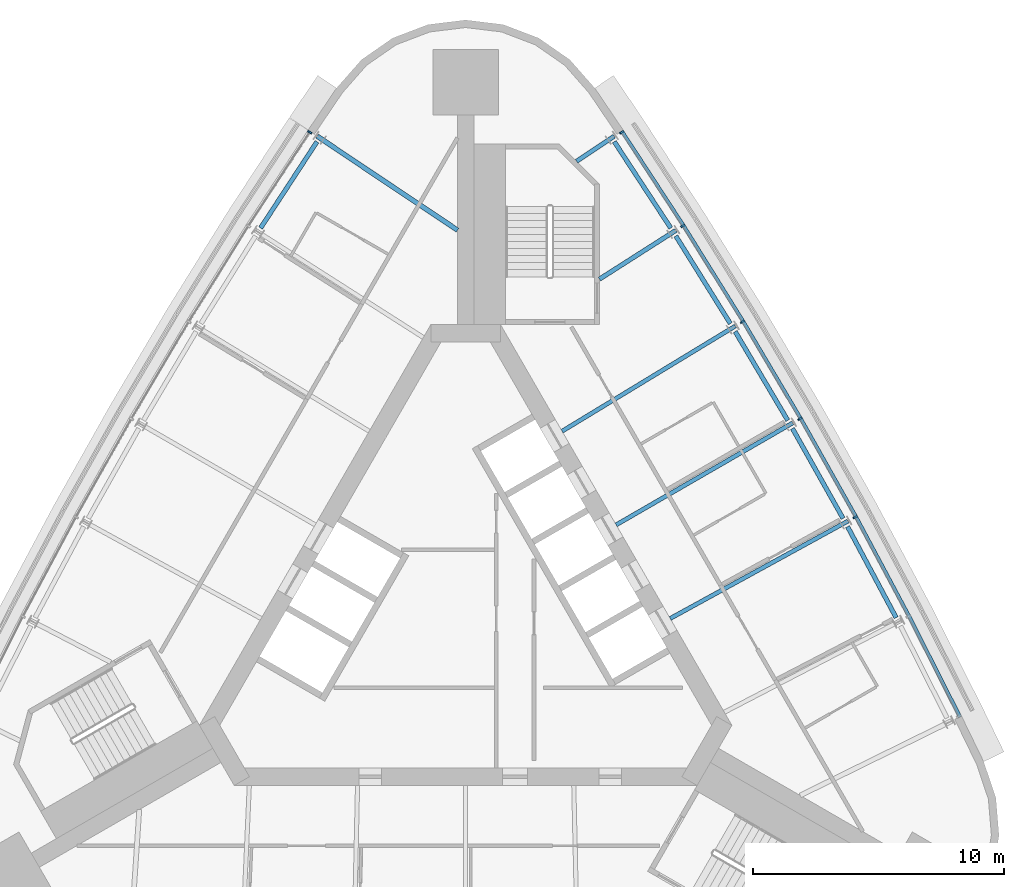
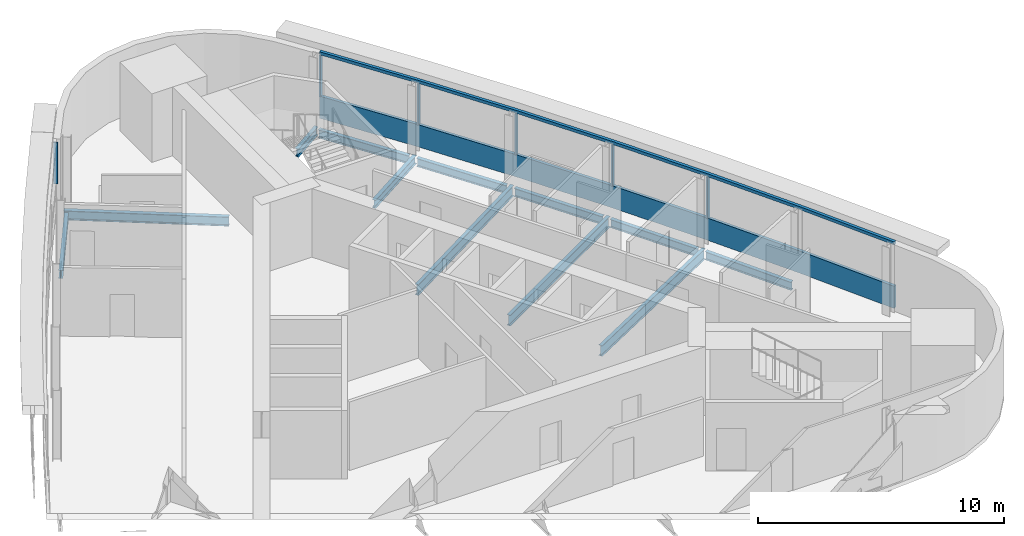
# One storey, part 7 of 14: 12 beams, 8 members, 2 elements without a shape of their own.
"""IFC4 building model written with IfcOpenShell, lengths in metres."""

from ifc_helpers import new_model, si_unit, direction, frame, origin, origin_2d, place, context, subcontext, project, spatial, polyline, rectangle, i_section, outline, extrude, material, material_profile, profile_set, type_object, element, aggregate, save


model = new_model("IFC4")

# Units and contexts
model_context = context("Model", 3, precision=1e-05, world=origin(), true_north=direction((0.0, 1.0)))
body_context = subcontext(model_context, "Body", "Model", "MODEL_VIEW")
ifc_project = project(units=[si_unit("LENGTHUNIT", "METRE"), si_unit("AREAUNIT", "SQUARE_METRE"), si_unit("VOLUMEUNIT", "CUBIC_METRE"), si_unit("PLANEANGLEUNIT", "RADIAN"), si_unit("MASSUNIT", "GRAM", prefix="KILO")], contexts=[model_context])

# Site, building, storey
site_placement = place(None, origin())
site = spatial("IfcSite", under=ifc_project, at=site_placement, CompositionType="ELEMENT")
building_placement = place(site_placement, origin())
building = spatial("IfcBuilding", under=site, at=building_placement, Name="Noor Cloister Tower", CompositionType="ELEMENT")
storey_placement = place(building_placement, frame((0.0, 0.0, 222.0)))
storey = spatial("IfcBuildingStorey", under=building, at=storey_placement, Name="L57", CompositionType="ELEMENT", Elevation=222.0)

# Curtain wall, member
ifc_material_1 = material(Name="Aluminium 6063-T6 anodised", Category="aluminium")
curtain_wall_type = type_object("IfcCurtainWallType", Name="Ribbon curtain wall, upper tower CW5", PredefinedType="NOTDEFINED", material=ifc_material_1)
curtain_wall_1_placement = place(storey_placement, origin())
curtain_wall_1 = element("IfcCurtainWall", 1, at=curtain_wall_1_placement, inside=storey, type_object=curtain_wall_type, Name="CW5 L57 NE run 4", PredefinedType="NOTDEFINED")
ifc_material_2 = material(Name="Aluminium 6063-T6 anodised", Category="aluminium")
member_type_1 = type_object("IfcMemberType", Name="Head transom CW5 150", PredefinedType="USERDEFINED", material=ifc_material_2)
member_1_placement = place(storey_placement, frame((0.0, 0.0, 3.14990234375)))
member_1 = element("IfcMember", 2, at=member_1_placement, type_object=member_type_1, Name="CW5 head transom", ObjectType="TRANSOM", PredefinedType="USERDEFINED", context=body_context, shape_type="SweptSolid", body=[
    extrude(outline(polyline([(19.772216796875, -4.16162109375), (17.7412109375, -0.14599609375), (15.621826171875, 3.823486328125), (13.415283203125, 7.745361328125), (11.122314453125, 11.6171875), (8.744140625, 15.437255859375), (6.2822265625, 19.2041015625), (6.1650390625, 19.12744140625), (8.626220703125, 15.362060546875), (11.00244140625, 11.54443359375), (13.2939453125, 7.67529296875), (15.4990234375, 3.75634765625), (17.616943359375, -0.210693359375), (19.647216796875, -4.224609375), (19.772216796875, -4.16162109375)])), origin(), (0.0, 0.0, 1.0), 0.150146484375),
])

curtain_wall_2_placement = place(storey_placement, origin())
curtain_wall_2 = element("IfcCurtainWall", 3, at=curtain_wall_2_placement, inside=storey, type_object=curtain_wall_type, Name="CW5 L57 NW run 1", PredefinedType="NOTDEFINED")
ifc_material_3 = material(Name="Aluminium 6063-T6 anodised", Category="aluminium")
ifc_material_profile_1 = material_profile(ifc_material_3, rectangle(XDim=0.179931640625, YDim=0.070068359375, at=origin_2d()), Name="180 x 70 mullion")
ifc_profile_set_1 = profile_set([ifc_material_profile_1], Name="Aluminium 6063-T6 anodised")
member_type_2 = type_object("IfcMemberType", Name="Mullion CW5 70 x 180", PredefinedType="MULLION", material=ifc_profile_set_1)
member_2_placement = place(storey_placement, frame((-6.217529296875, 19.119873046875, 1.10009765625), z_axis=(0.0, 0.0, 1.0), x_axis=(0.837047263939, -0.547130585813, 0.0)))
member_2 = element("IfcMember", 4, at=member_2_placement, type_object=member_type_2, Name="CW5 mullion 1", PredefinedType="MULLION", context=body_context, shape_type="SweptSolid", body=[
    extrude(rectangle(XDim=0.179931640625, YDim=0.070068359375, at=origin_2d()), origin(), (0.0, 0.0, 1.0), 2.0498046875),
])
aggregate(curtain_wall_2, [member_2])

# Member
member_3_placement = place(storey_placement, frame((15.5341796875, 3.775390625, 1.10009765625), z_axis=(0.0, 0.0, 1.0), x_axis=(-0.8768790948, -0.480710987083, 0.0)))
member_3 = element("IfcMember", 5, at=member_3_placement, type_object=member_type_2, Name="CW5 mullion 3", PredefinedType="MULLION", context=body_context, shape_type="SweptSolid", body=[
    extrude(rectangle(XDim=0.179931640625, YDim=0.070068359375, at=origin_2d()), origin(), (0.0, 0.0, 1.0), 2.0498046875),
])

member_4_placement = place(storey_placement, frame((13.32861328125, 7.6953125, 1.10009765625), z_axis=(0.0, 0.0, 1.0), x_axis=(-0.866025403784, -0.5, 0.0)))
member_4 = element("IfcMember", 6, at=member_4_placement, type_object=member_type_2, Name="CW5 mullion 4", PredefinedType="MULLION", context=body_context, shape_type="SweptSolid", body=[
    extrude(rectangle(XDim=0.179931640625, YDim=0.070068359375, at=origin_2d()), origin(), (0.0, 0.0, 1.0), 2.0498046875),
])

member_5_placement = place(storey_placement, frame((11.03662109375, 11.565185546875, 1.10009765625), z_axis=(0.0, 0.0, 1.0), x_axis=(-0.854747474092, -0.519044078603, 0.0)))
member_5 = element("IfcMember", 7, at=member_5_placement, type_object=member_type_2, Name="CW5 mullion 5", PredefinedType="MULLION", context=body_context, shape_type="SweptSolid", body=[
    extrude(rectangle(XDim=0.179931640625, YDim=0.070068359375, at=origin_2d()), origin(), (0.0, 0.0, 1.0), 2.0498046875),
])

member_6_placement = place(storey_placement, frame((8.659912109375, 15.383544921875, 1.10009765625), z_axis=(0.0, 0.0, 1.0), x_axis=(-0.843050821041, -0.537833908509, 0.0)))
member_6 = element("IfcMember", 8, at=member_6_placement, type_object=member_type_2, Name="CW5 mullion 6", PredefinedType="MULLION", context=body_context, shape_type="SweptSolid", body=[
    extrude(rectangle(XDim=0.179931640625, YDim=0.070068359375, at=origin_2d()), origin(), (0.0, 0.0, 1.0), 2.0498046875),
])

member_7_placement = place(storey_placement, frame((6.217529296875, 19.119873046875, 1.10009765625), z_axis=(0.0, 0.0, 1.0), x_axis=(-0.837047263939, -0.547130585813, 0.0)))
member_7 = element("IfcMember", 9, at=member_7_placement, type_object=member_type_2, Name="CW5 mullion 7", PredefinedType="MULLION", context=body_context, shape_type="SweptSolid", body=[
    extrude(rectangle(XDim=0.179931640625, YDim=0.070068359375, at=origin_2d()), origin(), (0.0, 0.0, 1.0), 2.0498046875),
])

# Beams
ifc_material_4 = material(Name="Steel ASTM A992 Gr 50", Category="steel")
ifc_material_profile_2 = material_profile(ifc_material_4, i_section(OverallWidth=0.177978515625, OverallDepth=0.406005859375, WebThickness=0.0078125, FlangeThickness=0.0126953125, FilletRadius=0.01025390625, at=origin_2d()), Name="W410x60")
ifc_profile_set_2 = profile_set([ifc_material_profile_2], Name="Steel ASTM A992 Gr 50")
beam_type_1 = type_object("IfcBeamType", Name="Radial beam W410x60", PredefinedType="BEAM", material=ifc_profile_set_2)
beam_1_placement = place(storey_placement, frame((8.378173828125, 15.203857421875, -0.403076171875), z_axis=(-0.843059267297, -0.537820668834, 0.0), x_axis=(0.537820668834, -0.843059267297, 0.0)))
element("IfcBeam", 10, at=beam_1_placement, inside=storey, type_object=beam_type_1, Name="Radial beam NE 06 L57", PredefinedType="BEAM", context=body_context, shape_type="SweptSolid", body=[
    extrude(i_section(OverallWidth=0.177978515625, OverallDepth=0.406005859375, WebThickness=0.0078125, FlangeThickness=0.0126953125, FilletRadius=0.01025390625, at=origin_2d()), origin(), (0.0, 0.0, 1.0), 3.60888671875),
])
beam_2_placement = place(storey_placement, frame((5.92138671875, 18.96240234375, -0.403076171875), z_axis=(-0.830940280815, -0.556361617762, 0.0), x_axis=(0.556361617762, -0.830940280815, 0.0)))
element("IfcBeam", 11, at=beam_2_placement, inside=storey, type_object=beam_type_1, Name="Radial beam NE 07 L57", PredefinedType="BEAM", context=body_context, shape_type="SweptSolid", body=[
    extrude(i_section(OverallWidth=0.177978515625, OverallDepth=0.406005859375, WebThickness=0.0078125, FlangeThickness=0.0126953125, FilletRadius=0.01025390625, at=origin_2d()), origin(), (0.0, 0.0, 1.0), 1.796142578125),
])
ifc_material_5 = material(Name="Steel ASTM A992 Gr 50", Category="steel")
ifc_material_profile_3 = material_profile(ifc_material_5, i_section(OverallWidth=0.19091796875, OverallDepth=0.45703125, WebThickness=0.009033203125, FlangeThickness=0.014404296875, FilletRadius=0.01025390625, at=origin_2d()), Name="W460x74")
ifc_profile_set_3 = profile_set([ifc_material_profile_3], Name="Steel ASTM A992 Gr 50")
beam_type_2 = type_object("IfcBeamType", Name="Radial beam W460x74", PredefinedType="BEAM", material=ifc_profile_set_3)
beam_3_placement = place(storey_placement, frame((-5.92138671875, 18.96240234375, -0.428466796875), z_axis=(0.83094443402, -0.556355414795, 0.0), x_axis=(0.556355414795, 0.83094443402, 0.0)))
element("IfcBeam", 12, at=beam_3_placement, inside=storey, type_object=beam_type_2, Name="Radial beam NW 01 L57", PredefinedType="BEAM", context=body_context, shape_type="SweptSolid", body=[
    extrude(i_section(OverallWidth=0.19091796875, OverallDepth=0.45703125, WebThickness=0.009033203125, FlangeThickness=0.014404296875, FilletRadius=0.01025390625, at=origin_2d()), origin(), (0.0, 0.0, 1.0), 6.735107421875),
])
ifc_material_6 = material(Name="Steel ASTM A992 Gr 50", Category="steel")
ifc_material_profile_4 = material_profile(ifc_material_6, i_section(OverallWidth=0.166015625, OverallDepth=0.528076171875, WebThickness=0.009765625, FlangeThickness=0.013671875, FilletRadius=0.0126953125, at=origin_2d()), Name="W530x74")
ifc_profile_set_4 = profile_set([ifc_material_profile_4], Name="Steel ASTM A992 Gr 50")
beam_type_3 = type_object("IfcBeamType", Name="Radial beam W530x74", PredefinedType="BEAM", material=ifc_profile_set_4)
beam_4_placement = place(storey_placement, frame((15.2412109375, 3.614990234375, -0.464111328125), z_axis=(-0.876874036138, -0.480720214623, 0.0), x_axis=(0.480720214623, -0.876874036138, 0.0)))
element("IfcBeam", 13, at=beam_4_placement, inside=storey, type_object=beam_type_3, Name="Radial beam NE 03 L57", PredefinedType="BEAM", context=body_context, shape_type="SweptSolid", body=[
    extrude(i_section(OverallWidth=0.166015625, OverallDepth=0.528076171875, WebThickness=0.009765625, FlangeThickness=0.013671875, FilletRadius=0.0126953125, at=origin_2d()), origin(), (0.0, 0.0, 1.0), 8.08056640625),
])
beam_5_placement = place(storey_placement, frame((13.039306640625, 7.5283203125, -0.464111328125), z_axis=(-0.866022026288, -0.50000584995, 0.0), x_axis=(0.50000584995, -0.866022026288, 0.0)))
element("IfcBeam", 14, at=beam_5_placement, inside=storey, type_object=beam_type_3, Name="Radial beam NE 04 L57", PredefinedType="BEAM", context=body_context, shape_type="SweptSolid", body=[
    extrude(i_section(OverallWidth=0.166015625, OverallDepth=0.528076171875, WebThickness=0.009765625, FlangeThickness=0.013671875, FilletRadius=0.0126953125, at=origin_2d()), origin(), (0.0, 0.0, 1.0), 8.12841796875),
])
beam_6_placement = place(storey_placement, frame((10.751220703125, 11.391845703125, -0.464111328125), z_axis=(-0.854748260186, -0.519042784084, 0.0), x_axis=(0.519042784084, -0.854748260186, 0.0)))
element("IfcBeam", 15, at=beam_6_placement, inside=storey, type_object=beam_type_3, Name="Radial beam NE 05 L57", PredefinedType="BEAM", context=body_context, shape_type="SweptSolid", body=[
    extrude(i_section(OverallWidth=0.166015625, OverallDepth=0.528076171875, WebThickness=0.009765625, FlangeThickness=0.013671875, FilletRadius=0.0126953125, at=origin_2d()), origin(), (0.0, 0.0, 1.0), 8.080322265625),
])

# Member
ifc_material_7 = material(Name="Aluminium 6063-T6 anodised", Category="aluminium")
member_type_3 = type_object("IfcMemberType", Name="Sill transom CW5 1100", PredefinedType="USERDEFINED", material=ifc_material_7)
member_8_placement = place(storey_placement, origin())
member_8 = element("IfcMember", 16, at=member_8_placement, type_object=member_type_3, Name="CW5 sill transom", ObjectType="TRANSOM", PredefinedType="USERDEFINED", context=body_context, shape_type="SweptSolid", body=[
    extrude(outline(polyline([(19.772216796875, -4.16162109375), (17.7412109375, -0.14599609375), (15.621826171875, 3.823486328125), (13.415283203125, 7.745361328125), (11.122314453125, 11.6171875), (8.744140625, 15.437255859375), (6.2822265625, 19.2041015625), (6.1650390625, 19.12744140625), (8.626220703125, 15.362060546875), (11.00244140625, 11.54443359375), (13.2939453125, 7.67529296875), (15.4990234375, 3.75634765625), (17.616943359375, -0.210693359375), (19.647216796875, -4.224609375), (19.772216796875, -4.16162109375)])), origin(), (0.0, 0.0, 1.0), 1.10009765625),
])

aggregate(curtain_wall_1, [member_3, member_4, member_5, member_6, member_7, member_8, member_1])

# Beams
ifc_material_8 = material(Name="Steel ASTM A992 Gr 50", Category="steel")
ifc_material_profile_5 = material_profile(ifc_material_8, i_section(OverallWidth=0.177978515625, OverallDepth=0.406005859375, WebThickness=0.0078125, FlangeThickness=0.0126953125, FilletRadius=0.01025390625, at=origin_2d()), Name="W410x60")
ifc_profile_set_5 = profile_set([ifc_material_profile_5], Name="Steel ASTM A992 Gr 50")
beam_type_4 = type_object("IfcBeamType", Name="Spandrel beam W410x60", PredefinedType="SPANDREL", material=ifc_profile_set_5)
beam_7_placement = place(storey_placement, frame((-5.92724609375, 18.741943359375, -0.403076171875), z_axis=(-0.547105481139, -0.837063672911, 0.0), x_axis=(0.837063672911, -0.547105481139, 0.0)))
element("IfcBeam", 17, at=beam_7_placement, inside=storey, type_object=beam_type_4, Name="Spandrel beam NW 01 L57", PredefinedType="SPANDREL", context=body_context, shape_type="SweptSolid", body=[
    extrude(i_section(OverallWidth=0.177978515625, OverallDepth=0.406005859375, WebThickness=0.0078125, FlangeThickness=0.0126953125, FilletRadius=0.01025390625, at=origin_2d()), origin(), (0.0, 0.0, 1.0), 4.11474609375),
])
beam_8_placement = place(storey_placement, frame((17.165283203125, -0.235107421875, -0.403076171875), z_axis=(-0.471000859452, 0.882132751005, 0.0), x_axis=(-0.882132751005, -0.471000859452, 0.0)))
element("IfcBeam", 18, at=beam_8_placement, inside=storey, type_object=beam_type_4, Name="Spandrel beam NE 02 L57", PredefinedType="SPANDREL", context=body_context, shape_type="SweptSolid", body=[
    extrude(i_section(OverallWidth=0.177978515625, OverallDepth=0.406005859375, WebThickness=0.0078125, FlangeThickness=0.0126953125, FilletRadius=0.01025390625, at=origin_2d()), origin(), (0.0, 0.0, 1.0), 4.114501953125),
])
for number, where, z_axis, x_axis, name in (
    (19, (15.048095703125, 3.7216796875, -0.403076171875), (-0.490396452129, 0.871499466288, 0.0), (-0.871499466288, -0.490396452129, 0.0), "Spandrel beam NE 03 L57"),
    (20, (12.84375, 7.630615234375, -0.403076171875), (-0.509548653359, 0.860441845716, 0.0), (-0.860441845716, -0.509548653359, 0.0), "Spandrel beam NE 04 L57"),
):
    element("IfcBeam", number, at=place(storey_placement, frame(where, z_axis=z_axis, x_axis=x_axis)), inside=storey, type_object=beam_type_4, Name=name, PredefinedType="SPANDREL", context=body_context, shape_type="SweptSolid", body=[
        extrude(i_section(OverallWidth=0.177978515625, OverallDepth=0.406005859375, WebThickness=0.0078125, FlangeThickness=0.0126953125, FilletRadius=0.01025390625, at=origin_2d()), origin(), (0.0, 0.0, 1.0), 4.11474609375),
    ])
beam_9_placement = place(storey_placement, frame((10.553466796875, 11.489990234375, -0.403076171875), z_axis=(-0.528440659826, 0.848970240375, 0.0), x_axis=(-0.848970240375, -0.528440659826, 0.0)))
element("IfcBeam", 21, at=beam_9_placement, inside=storey, type_object=beam_type_4, Name="Spandrel beam NE 05 L57", PredefinedType="SPANDREL", context=body_context, shape_type="SweptSolid", body=[
    extrude(i_section(OverallWidth=0.177978515625, OverallDepth=0.406005859375, WebThickness=0.0078125, FlangeThickness=0.0126953125, FilletRadius=0.01025390625, at=origin_2d()), origin(), (0.0, 0.0, 1.0), 4.114501953125),
])
beam_10_placement = place(storey_placement, frame((8.178466796875, 15.297607421875, -0.403076171875), z_axis=(-0.547105481139, 0.837063672911, 0.0), x_axis=(-0.837063672911, -0.547105481139, 0.0)))
element("IfcBeam", 22, at=beam_10_placement, inside=storey, type_object=beam_type_4, Name="Spandrel beam NE 06 L57", PredefinedType="SPANDREL", context=body_context, shape_type="SweptSolid", body=[
    extrude(i_section(OverallWidth=0.177978515625, OverallDepth=0.406005859375, WebThickness=0.0078125, FlangeThickness=0.0126953125, FilletRadius=0.01025390625, at=origin_2d()), origin(), (0.0, 0.0, 1.0), 4.11474609375),
])

save(model, "model.ifc")
